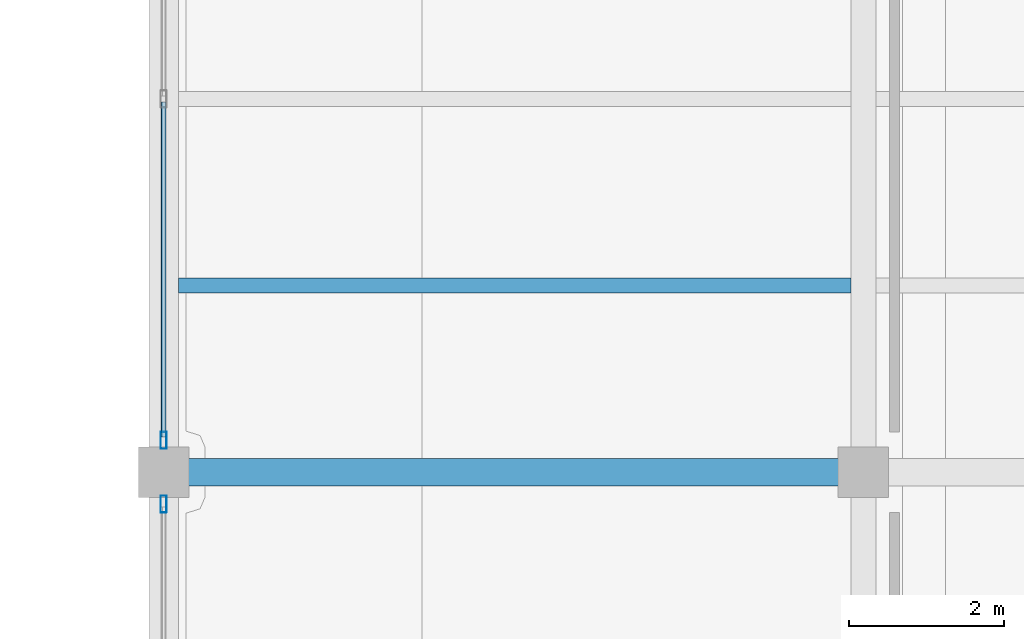
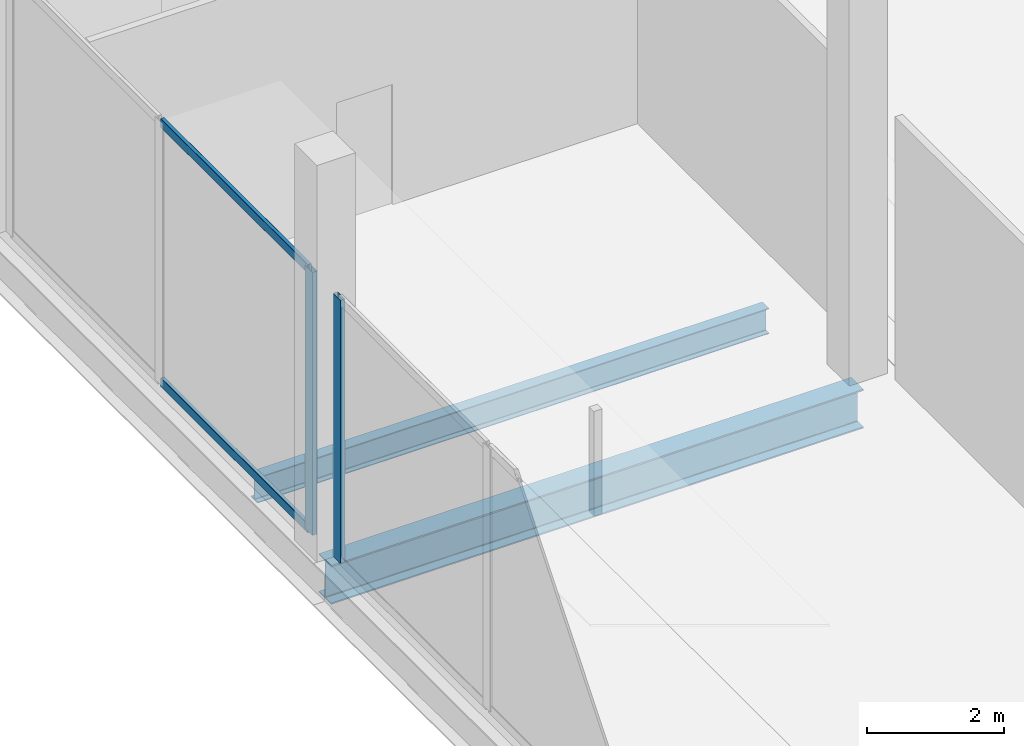
# One storey, part 5 of 43: 4 members, 2 beams, 2 elements without a shape of their own.
"""IFC4 building model written with IfcOpenShell, lengths in metres."""

from ifc_helpers import new_model, si_unit, direction, frame, origin, origin_2d, place, context, subcontext, project, spatial, hollow_rectangle, i_section, extrude, material, layer, layer_set, material_profile, profile_set, type_object, element, aggregate, save


model = new_model("IFC4")

# Units and contexts
model_context = context("Model", 3, precision=1e-05, world=origin(), true_north=direction((0.0, 1.0)))
body_context = subcontext(model_context, "Body", "Model", "MODEL_VIEW")
ifc_project = project(units=[si_unit("LENGTHUNIT", "METRE"), si_unit("AREAUNIT", "SQUARE_METRE"), si_unit("VOLUMEUNIT", "CUBIC_METRE"), si_unit("PLANEANGLEUNIT", "RADIAN"), si_unit("MASSUNIT", "GRAM", prefix="KILO")], contexts=[model_context])

# Site, building, storey
site_placement = place(None, origin())
site = spatial("IfcSite", under=ifc_project, at=site_placement, CompositionType="ELEMENT")
building_placement = place(site_placement, origin())
building = spatial("IfcBuilding", under=site, at=building_placement, Name="Qorvath Tower", CompositionType="ELEMENT")
storey_placement = place(building_placement, frame((0.0, 0.0, 22.0)))
storey = spatial("IfcBuildingStorey", under=building, at=storey_placement, Name="L04", CompositionType="ELEMENT", Elevation=22.0)

# Beams
ifc_material_1 = material(Name="Steel ASTM A992 Grade 50", Category="steel")
ifc_material_profile_1 = material_profile(ifc_material_1, i_section(OverallWidth=0.35595703125, OverallDepth=0.696044921875, WebThickness=0.015380859375, FlangeThickness=0.02490234375, FilletRadius=0.01806640625, at=origin_2d()), Name="W27x146")
ifc_profile_set_1 = profile_set([ifc_material_profile_1], Name="Steel ASTM A992 Grade 50")
beam_type_1 = type_object("IfcBeamType", Name="BM-FG4", PredefinedType="BEAM", material=ifc_profile_set_1)
beam_1_placement = place(storey_placement, frame((32.39990234375, -9.60009765625, -0.60791015625), z_axis=(1.0, 0.0, 0.0), x_axis=(0.0, 1.0, 0.0)))
element("IfcBeam", 1, at=beam_1_placement, inside=storey, type_object=beam_type_1, Name="Library E-W Girder L04-4-1", PredefinedType="BEAM", context=body_context, shape_type="SweptSolid", body=[
    extrude(i_section(OverallWidth=0.35595703125, OverallDepth=0.696044921875, WebThickness=0.015380859375, FlangeThickness=0.02490234375, FilletRadius=0.01806640625, at=origin_2d()), origin(), (0.0, 0.0, 1.0), 9.0),
])
ifc_material_2 = material(Name="Steel ASTM A992 Grade 50", Category="steel")
ifc_material_profile_2 = material_profile(ifc_material_2, i_section(OverallWidth=0.18994140625, OverallDepth=0.45703125, WebThickness=0.009033203125, FlangeThickness=0.014404296875, FilletRadius=0.011962890625, at=origin_2d()), Name="W18x50")
ifc_profile_set_2 = profile_set([ifc_material_profile_2], Name="Steel ASTM A992 Grade 50")
beam_type_2 = type_object("IfcBeamType", Name="BM-FJ2", PredefinedType="JOIST", material=ifc_profile_set_2)
beam_2_placement = place(storey_placement, frame((32.58837890625, -7.199951171875, -0.488525390625), z_axis=(1.0, 0.0, 0.0), x_axis=(0.0, 1.0, 0.0)))
element("IfcBeam", 2, at=beam_2_placement, inside=storey, type_object=beam_type_2, Name="Library Stack Joist L04-4.1-1", PredefinedType="JOIST", context=body_context, shape_type="SweptSolid", body=[
    extrude(i_section(OverallWidth=0.18994140625, OverallDepth=0.45703125, WebThickness=0.009033203125, FlangeThickness=0.014404296875, FilletRadius=0.011962890625, at=origin_2d()), origin(), (0.0, 0.0, 1.0), 8.651123046875),
])

# Curtain wall, member
ifc_material_3 = material(Name="Anodised aluminium and triple low-E glass", Category="aluminium")
ifc_layer = layer(ifc_material_3, 0.179931640625)
ifc_layer_set = layer_set([ifc_layer], Name="CW-SYS-6")
curtain_wall_type = type_object("IfcCurtainWallType", Name="CW-SYS-6", PredefinedType="NOTDEFINED", material=ifc_layer_set)
curtain_wall_1_placement = place(storey_placement, origin())
curtain_wall_1 = element("IfcCurtainWall", 3, at=curtain_wall_1_placement, inside=storey, type_object=curtain_wall_type, Name="Curtain Wall CW-6 CW-LIB-W-L04-3", PredefinedType="NOTDEFINED")
ifc_material_4 = material(Name="Anodised aluminium 6063-T6", Category="aluminium")
ifc_material_profile_3 = material_profile(ifc_material_4, hollow_rectangle(XDim=0.080078125, YDim=0.219970703125, WallThickness=0.00439453125, InnerFilletRadius=0.00439453125, OuterFilletRadius=0.009033203125, at=origin_2d()), Name="CWM LIB 220x80")
ifc_profile_set_3 = profile_set([ifc_material_profile_3], Name="Anodised aluminium 6063-T6")
member_type_1 = type_object("IfcMemberType", Name="CWM-LIB", PredefinedType="MULLION", material=ifc_profile_set_3)
member_1_placement = place(storey_placement, frame((32.39990234375, -10.010009765625, 0.0), z_axis=(0.0, 0.0, 1.0), x_axis=(-1.0, 0.0, 0.0)))
member_1 = element("IfcMember", 4, at=member_1_placement, type_object=member_type_1, Name="CW-6 mullion 3", PredefinedType="MULLION", context=body_context, shape_type="SweptSolid", body=[
    extrude(hollow_rectangle(XDim=0.080078125, YDim=0.219970703125, WallThickness=0.00439453125, InnerFilletRadius=0.00439453125, OuterFilletRadius=0.009033203125, at=origin_2d()), origin(), (0.0, 0.0, 1.0), 4.699951171875),
])
aggregate(curtain_wall_1, [member_1])

# Curtain wall, members
curtain_wall_2_placement = place(storey_placement, origin())
curtain_wall_2 = element("IfcCurtainWall", 5, at=curtain_wall_2_placement, inside=storey, type_object=curtain_wall_type, Name="Curtain Wall CW-6 CW-LIB-W-L04-4", PredefinedType="NOTDEFINED")
member_2_placement = place(storey_placement, frame((32.39990234375, -9.18994140625, 0.0), z_axis=(0.0, 0.0, 1.0), x_axis=(-1.0, 0.0, 0.0)))
member_2 = element("IfcMember", 6, at=member_2_placement, type_object=member_type_1, Name="CW-6 mullion 1", PredefinedType="MULLION", context=body_context, shape_type="SweptSolid", body=[
    extrude(hollow_rectangle(XDim=0.080078125, YDim=0.219970703125, WallThickness=0.00439453125, InnerFilletRadius=0.00439453125, OuterFilletRadius=0.009033203125, at=origin_2d()), origin(), (0.0, 0.0, 1.0), 4.699951171875),
])
ifc_material_5 = material(Name="Anodised aluminium 6063-T6", Category="aluminium")
ifc_material_profile_4 = material_profile(ifc_material_5, hollow_rectangle(XDim=0.06494140625, YDim=0.159912109375, WallThickness=0.00341796875, InnerFilletRadius=0.00341796875, OuterFilletRadius=0.007080078125, at=origin_2d()), Name="CWT 160x65")
ifc_profile_set_4 = profile_set([ifc_material_profile_4], Name="Anodised aluminium 6063-T6")
member_type_2 = type_object("IfcMemberType", Name="CWT-160", PredefinedType="USERDEFINED", material=ifc_profile_set_4)
member_3_placement = place(storey_placement, frame((32.39990234375, -9.14990234375, 0.032470703125), z_axis=(0.0, 1.0, 0.0), x_axis=(-1.0, 0.0, 0.0)))
member_3 = element("IfcMember", 7, at=member_3_placement, type_object=member_type_2, Name="CW-6 transom 1.1", ObjectType="TRANSOM", PredefinedType="USERDEFINED", context=body_context, shape_type="SweptSolid", body=[
    extrude(hollow_rectangle(XDim=0.06494140625, YDim=0.159912109375, WallThickness=0.00341796875, InnerFilletRadius=0.00341796875, OuterFilletRadius=0.007080078125, at=origin_2d()), origin(), (0.0, 0.0, 1.0), 4.309814453125),
])
member_4_placement = place(storey_placement, frame((32.39990234375, -9.14990234375, 4.66748046875), z_axis=(0.0, 1.0, 0.0), x_axis=(-1.0, 0.0, 0.0)))
member_4 = element("IfcMember", 8, at=member_4_placement, type_object=member_type_2, Name="CW-6 transom 1.2", ObjectType="TRANSOM", PredefinedType="USERDEFINED", context=body_context, shape_type="SweptSolid", body=[
    extrude(hollow_rectangle(XDim=0.06494140625, YDim=0.159912109375, WallThickness=0.00341796875, InnerFilletRadius=0.00341796875, OuterFilletRadius=0.007080078125, at=origin_2d()), origin(), (0.0, 0.0, 1.0), 4.309814453125),
])
aggregate(curtain_wall_2, [member_2, member_3, member_4])

save(model, "model.ifc")
